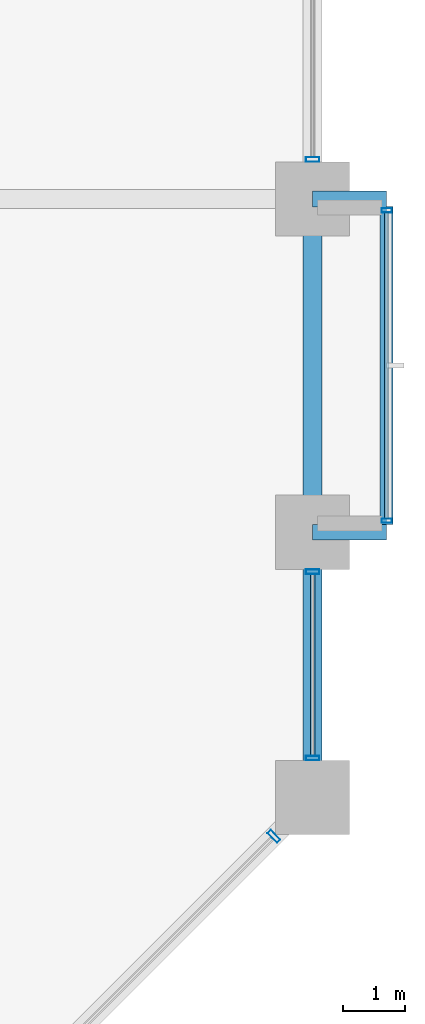
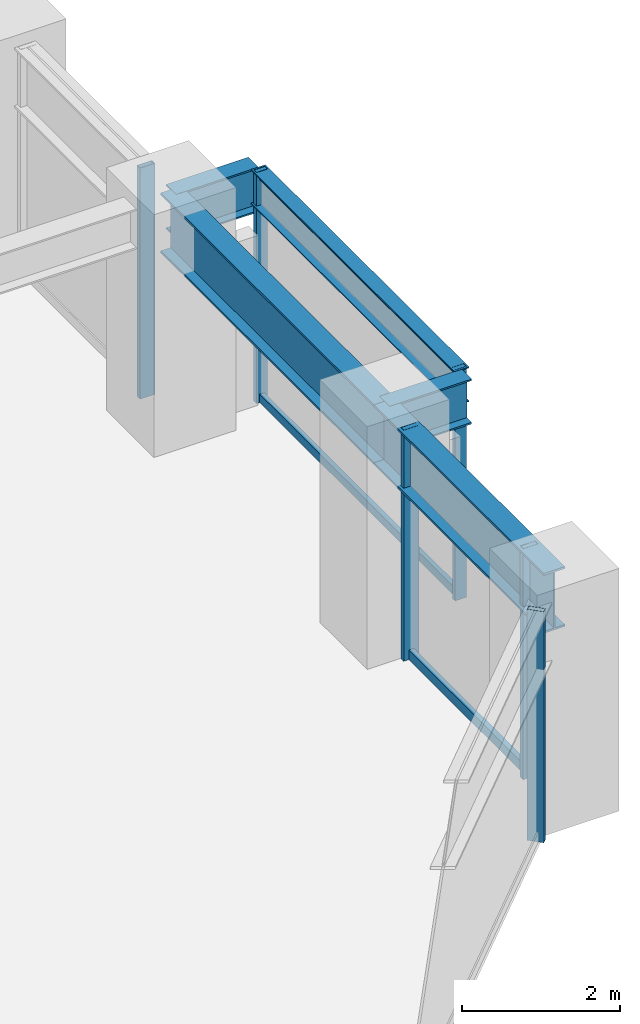
# One storey, part 17 of 27: 9 members, 5 beams, 4 elements without a shape of their own.
"""IFC4 building model written with IfcOpenShell, lengths in metres."""

from ifc_helpers import new_model, si_unit, direction, frame, origin, origin_2d, place, context, subcontext, project, spatial, hollow_rectangle, i_section, extrude, material, layer, layer_set, material_profile, profile_set, type_object, element, aggregate, save


model = new_model("IFC4")

# Units and contexts
model_context = context("Model", 3, precision=1e-05, world=origin(), true_north=direction((0.0, 1.0)))
body_context = subcontext(model_context, "Body", "Model", "MODEL_VIEW")
ifc_project = project(units=[si_unit("LENGTHUNIT", "METRE"), si_unit("AREAUNIT", "SQUARE_METRE"), si_unit("VOLUMEUNIT", "CUBIC_METRE"), si_unit("PLANEANGLEUNIT", "RADIAN"), si_unit("MASSUNIT", "GRAM", prefix="KILO")], contexts=[model_context])

# Site, building, storey
site_placement = place(None, origin())
site = spatial("IfcSite", under=ifc_project, at=site_placement, CompositionType="ELEMENT")
building_placement = place(site_placement, origin())
building = spatial("IfcBuilding", under=site, at=building_placement, Name="Surkhivell Harbour Commons", CompositionType="ELEMENT")
storey_placement = place(building_placement, frame((0.0, 0.0, 56.25)))
storey = spatial("IfcBuildingStorey", under=building, at=storey_placement, Name="L14", CompositionType="ELEMENT", Elevation=56.25)

# Beams
ifc_material_1 = material(Name="Steel S460", Category="steel")
ifc_material_profile_1 = material_profile(ifc_material_1, i_section(OverallWidth=0.256103515625, OverallDepth=0.693115234375, WebThickness=0.014404296875, FlangeThickness=0.023681640625, at=origin_2d()), Name="UB686x254x170")
ifc_profile_set_1 = profile_set([ifc_material_profile_1], Name="Steel S460")
beam_type_1 = type_object("IfcBeamType", Name="BM-CNT-686", PredefinedType="BEAM", material=ifc_profile_set_1)
for number, where, z_axis, x_axis, name in (
    (1, (32.39990234375, 10.800048828125, 3.223388671875), (1.0, 0.0, 0.0), (0.0, 1.0, 0.0), "L14 Box Cantilever Outrigger (32.4,10.8)"),
    (2, (32.39990234375, 16.199951171875, 3.223388671875), (1.0, 0.0, 0.0), (0.0, 1.0, 0.0), "L14 Box Cantilever Outrigger (32.4,16.2)"),
):
    element("IfcBeam", number, at=place(storey_placement, frame(where, z_axis=z_axis, x_axis=x_axis)), inside=storey, type_object=beam_type_1, Name=name, PredefinedType="BEAM", context=body_context, shape_type="SweptSolid", body=[
        extrude(i_section(OverallWidth=0.256103515625, OverallDepth=0.693115234375, WebThickness=0.014404296875, FlangeThickness=0.023681640625, at=origin_2d()), origin(), (0.0, 0.0, 1.0), 1.2001953125),
    ])
ifc_material_2 = material(Name="Steel S355", Category="steel")
ifc_material_profile_2 = material_profile(ifc_material_2, i_section(OverallWidth=0.2099609375, OverallDepth=0.537109375, WebThickness=0.0107421875, FlangeThickness=0.017333984375, at=origin_2d()), Name="UB533x210x101")
ifc_profile_set_2 = profile_set([ifc_material_profile_2], Name="Steel S355")
beam_type_2 = type_object("IfcBeamType", Name="BM-GRD-533B", PredefinedType="BEAM", material=ifc_profile_set_2)
beam_1_placement = place(storey_placement, frame((33.60009765625, 10.922119140625, 3.301513671875), z_axis=(0.0, 1.0, 0.0), x_axis=(-1.0, 0.0, 0.0)))
element("IfcBeam", 3, at=beam_1_placement, inside=storey, type_object=beam_type_2, Name="L14 Box Rim Spandrel (33.6,10.8)", PredefinedType="BEAM", context=body_context, shape_type="SweptSolid", body=[
    extrude(i_section(OverallWidth=0.2099609375, OverallDepth=0.537109375, WebThickness=0.0107421875, FlangeThickness=0.017333984375, at=origin_2d()), origin(), (0.0, 0.0, 1.0), 5.15576171875),
])
ifc_material_profile_3 = material_profile(ifc_material_1, i_section(OverallWidth=0.30810546875, OverallDepth=0.927001953125, WebThickness=0.01953125, FlangeThickness=0.031982421875, at=origin_2d()), Name="UB914x305x289")
ifc_profile_set_3 = profile_set([ifc_material_profile_3], Name="Steel S460")
beam_type_3 = type_object("IfcBeamType", Name="BM-SPN-914B", PredefinedType="SPANDREL", material=ifc_profile_set_3)
beam_2_placement = place(storey_placement, frame((32.39990234375, 6.5, 3.1064453125), z_axis=(0.0, 1.0, 0.0), x_axis=(-1.0, 0.0, 0.0)))
element("IfcBeam", 4, at=beam_2_placement, inside=storey, type_object=beam_type_3, Name="L14 Tube Spandrel (32.4,6.5)", PredefinedType="SPANDREL", context=body_context, shape_type="SweptSolid", body=[
    extrude(i_section(OverallWidth=0.30810546875, OverallDepth=0.927001953125, WebThickness=0.01953125, FlangeThickness=0.031982421875, at=origin_2d()), origin(), (0.0, 0.0, 1.0), 4.300048828125),
])
beam_3_placement = place(storey_placement, frame((32.39990234375, 10.800048828125, 3.1064453125), z_axis=(0.0, 1.0, 0.0), x_axis=(-1.0, 0.0, 0.0)))
element("IfcBeam", 5, at=beam_3_placement, inside=storey, type_object=beam_type_3, Name="L14 Tube Spandrel (32.4,10.8)", PredefinedType="SPANDREL", context=body_context, shape_type="SweptSolid", body=[
    extrude(i_section(OverallWidth=0.30810546875, OverallDepth=0.927001953125, WebThickness=0.01953125, FlangeThickness=0.031982421875, at=origin_2d()), origin(), (0.0, 0.0, 1.0), 5.39990234375),
])

# Curtain wall, members
ifc_material_3 = material(Name="Anodised pale-metal aluminium and insulated glazing", Category="aluminium")
ifc_layer_1 = layer(ifc_material_3, 0.1650390625)
ifc_layer_set_1 = layer_set([ifc_layer_1], Name="Anodised pale-metal aluminium and insulated glazing")
curtain_wall_type_1 = type_object("IfcCurtainWallType", Name="CW-SYS-BOX", PredefinedType="NOTDEFINED", material=ifc_layer_set_1)
curtain_wall_1_placement = place(storey_placement, origin())
curtain_wall_1 = element("IfcCurtainWall", 6, at=curtain_wall_1_placement, inside=storey, type_object=curtain_wall_type_1, Name="L14 Curtain Wall CW-L14-BOX01", PredefinedType="NOTDEFINED")
ifc_material_4 = material(Name="Champagne anodised aluminium alloy 6063-T6", Category="aluminium")
ifc_material_profile_4 = material_profile(ifc_material_4, hollow_rectangle(XDim=0.070068359375, YDim=0.1650390625, WallThickness=0.00341796875, at=origin_2d()), Name="ALU-MULL-70x165")
ifc_profile_set_4 = profile_set([ifc_material_profile_4], Name="Champagne anodised aluminium alloy 6063-T6")
member_type_1 = type_object("IfcMemberType", Name="CWM-165", PredefinedType="MULLION", material=ifc_profile_set_4)
member_1_placement = place(storey_placement, frame((33.60009765625, 10.985107421875, 0.0), z_axis=(0.0, 0.0, 1.0), x_axis=(0.0, 1.0, 0.0)))
member_1 = element("IfcMember", 7, at=member_1_placement, type_object=member_type_1, Name="CW-BOX mullion 1", PredefinedType="MULLION", context=body_context, shape_type="SweptSolid", body=[
    extrude(hollow_rectangle(XDim=0.070068359375, YDim=0.1650390625, WallThickness=0.00341796875, at=origin_2d()), origin(), (0.0, 0.0, 1.0), 3.570068359375),
])
member_2_placement = place(storey_placement, frame((33.60009765625, 16.014892578125, 0.0), z_axis=(0.0, 0.0, 1.0), x_axis=(0.0, 1.0, 0.0)))
member_2 = element("IfcMember", 8, at=member_2_placement, type_object=member_type_1, Name="CW-BOX mullion 2", PredefinedType="MULLION", context=body_context, shape_type="SweptSolid", body=[
    extrude(hollow_rectangle(XDim=0.070068359375, YDim=0.1650390625, WallThickness=0.00341796875, at=origin_2d()), origin(), (0.0, 0.0, 1.0), 3.570068359375),
])

# Curtain wall, member
ifc_layer_2 = layer(ifc_material_3, 0.219970703125)
ifc_layer_set_2 = layer_set([ifc_layer_2], Name="Anodised pale-metal aluminium and insulated glazing")
curtain_wall_type_2 = type_object("IfcCurtainWallType", Name="CW-SYS-Z1", PredefinedType="NOTDEFINED", material=ifc_layer_set_2)
curtain_wall_2_placement = place(storey_placement, origin())
curtain_wall_2 = element("IfcCurtainWall", 9, at=curtain_wall_2_placement, inside=storey, type_object=curtain_wall_type_2, Name="L14 Curtain Wall CW-L14-E01", PredefinedType="NOTDEFINED")
ifc_material_5 = material(Name="Anodised pale-metal aluminium alloy 6063-T6", Category="aluminium")
ifc_material_profile_5 = material_profile(ifc_material_5, hollow_rectangle(XDim=0.074951171875, YDim=0.219970703125, WallThickness=0.00390625, at=origin_2d()), Name="ALU-MULL-75x220")
ifc_profile_set_5 = profile_set([ifc_material_profile_5], Name="Anodised pale-metal aluminium alloy 6063-T6")
member_type_2 = type_object("IfcMemberType", Name="CWM-220", PredefinedType="MULLION", material=ifc_profile_set_5)
member_3_placement = place(storey_placement, frame((31.771728515625, 5.871826171875, 0.0), z_axis=(0.0, 0.0, 1.0), x_axis=(0.707106781187, 0.707106781187, 0.0)))
member_3 = element("IfcMember", 10, at=member_3_placement, type_object=member_type_2, Name="CW-Z1 mullion 8", PredefinedType="MULLION", context=body_context, shape_type="SweptSolid", body=[
    extrude(hollow_rectangle(XDim=0.074951171875, YDim=0.219970703125, WallThickness=0.00390625, at=origin_2d()), origin(), (0.0, 0.0, 1.0), 3.570068359375),
])
aggregate(curtain_wall_2, [member_3])

# Curtain wall, members
curtain_wall_3_placement = place(storey_placement, origin())
curtain_wall_3 = element("IfcCurtainWall", 11, at=curtain_wall_3_placement, inside=storey, type_object=curtain_wall_type_2, Name="L14 Curtain Wall CW-L14-E02R1", PredefinedType="NOTDEFINED")
member_4_placement = place(storey_placement, frame((32.39990234375, 7.139404296875, 0.0), z_axis=(0.0, 0.0, 1.0), x_axis=(0.0, 1.0, 0.0)))
member_4 = element("IfcMember", 12, at=member_4_placement, type_object=member_type_2, Name="CW-Z1 mullion 1", PredefinedType="MULLION", context=body_context, shape_type="SweptSolid", body=[
    extrude(hollow_rectangle(XDim=0.074951171875, YDim=0.219970703125, WallThickness=0.00390625, at=origin_2d()), origin(), (0.0, 0.0, 1.0), 3.570068359375),
])
member_5_placement = place(storey_placement, frame((32.39990234375, 10.160400390625, 0.0), z_axis=(0.0, 0.0, 1.0), x_axis=(0.0, 1.0, 0.0)))
member_5 = element("IfcMember", 13, at=member_5_placement, type_object=member_type_2, Name="CW-Z1 mullion 2", PredefinedType="MULLION", context=body_context, shape_type="SweptSolid", body=[
    extrude(hollow_rectangle(XDim=0.074951171875, YDim=0.219970703125, WallThickness=0.00390625, at=origin_2d()), origin(), (0.0, 0.0, 1.0), 3.570068359375),
])

# Curtain wall, member
curtain_wall_4_placement = place(storey_placement, origin())
curtain_wall_4 = element("IfcCurtainWall", 14, at=curtain_wall_4_placement, inside=storey, type_object=curtain_wall_type_2, Name="L14 Curtain Wall CW-L14-E02R2", PredefinedType="NOTDEFINED")
member_6_placement = place(storey_placement, frame((32.39990234375, 16.839599609375, 0.0), z_axis=(0.0, 0.0, 1.0), x_axis=(0.0, 1.0, 0.0)))
member_6 = element("IfcMember", 15, at=member_6_placement, type_object=member_type_2, Name="CW-Z1 mullion 1", PredefinedType="MULLION", context=body_context, shape_type="SweptSolid", body=[
    extrude(hollow_rectangle(XDim=0.074951171875, YDim=0.219970703125, WallThickness=0.00390625, at=origin_2d()), origin(), (0.0, 0.0, 1.0), 3.570068359375),
])
aggregate(curtain_wall_4, [member_6])

# Member
ifc_material_profile_6 = material_profile(ifc_material_4, hollow_rectangle(XDim=0.070068359375, YDim=0.1298828125, WallThickness=0.00341796875, at=origin_2d()), Name="ALU-TRAN-70x130")
ifc_profile_set_6 = profile_set([ifc_material_profile_6], Name="Champagne anodised aluminium alloy 6063-T6")
member_type_3 = type_object("IfcMemberType", Name="CWT-130", PredefinedType="USERDEFINED", material=ifc_profile_set_6)
member_7_placement = place(storey_placement, frame((33.60009765625, 11.02001953125, 0.06494140625), z_axis=(0.0, 1.0, 0.0), x_axis=(-1.0, 0.0, 0.0)))
member_7 = element("IfcMember", 16, at=member_7_placement, type_object=member_type_3, Name="CW-BOX transom 1.1", ObjectType="TRANSOM", PredefinedType="USERDEFINED", context=body_context, shape_type="SweptSolid", body=[
    extrude(hollow_rectangle(XDim=0.070068359375, YDim=0.1298828125, WallThickness=0.00341796875, at=origin_2d()), origin(), (0.0, 0.0, 1.0), 4.9599609375),
])

member_8_placement = place(storey_placement, frame((33.60009765625, 11.02001953125, 3.5048828125), z_axis=(0.0, 1.0, 0.0), x_axis=(-1.0, 0.0, 0.0)))
member_8 = element("IfcMember", 17, at=member_8_placement, type_object=member_type_3, Name="CW-BOX transom 1.2", ObjectType="TRANSOM", PredefinedType="USERDEFINED", context=body_context, shape_type="SweptSolid", body=[
    extrude(hollow_rectangle(XDim=0.070068359375, YDim=0.1298828125, WallThickness=0.00341796875, at=origin_2d()), origin(), (0.0, 0.0, 1.0), 4.9599609375),
])

aggregate(curtain_wall_1, [member_1, member_2, member_7, member_8])

ifc_material_profile_7 = material_profile(ifc_material_5, hollow_rectangle(XDim=0.074951171875, YDim=0.14990234375, WallThickness=0.00341796875, at=origin_2d()), Name="ALU-TRAN-75x150")
ifc_profile_set_7 = profile_set([ifc_material_profile_7], Name="Anodised pale-metal aluminium alloy 6063-T6")
member_type_4 = type_object("IfcMemberType", Name="CWT-150", PredefinedType="USERDEFINED", material=ifc_profile_set_7)
member_9_placement = place(storey_placement, frame((32.39990234375, 7.177001953125, 0.074951171875), z_axis=(0.0, 1.0, 0.0), x_axis=(-1.0, 0.0, 0.0)))
member_9 = element("IfcMember", 18, at=member_9_placement, type_object=member_type_4, Name="CW-Z1 transom 1.1", ObjectType="TRANSOM", PredefinedType="USERDEFINED", context=body_context, shape_type="SweptSolid", body=[
    extrude(hollow_rectangle(XDim=0.074951171875, YDim=0.14990234375, WallThickness=0.00341796875, at=origin_2d()), origin(), (0.0, 0.0, 1.0), 2.946044921875),
])

aggregate(curtain_wall_3, [member_4, member_5, member_9])

save(model, "model.ifc")
